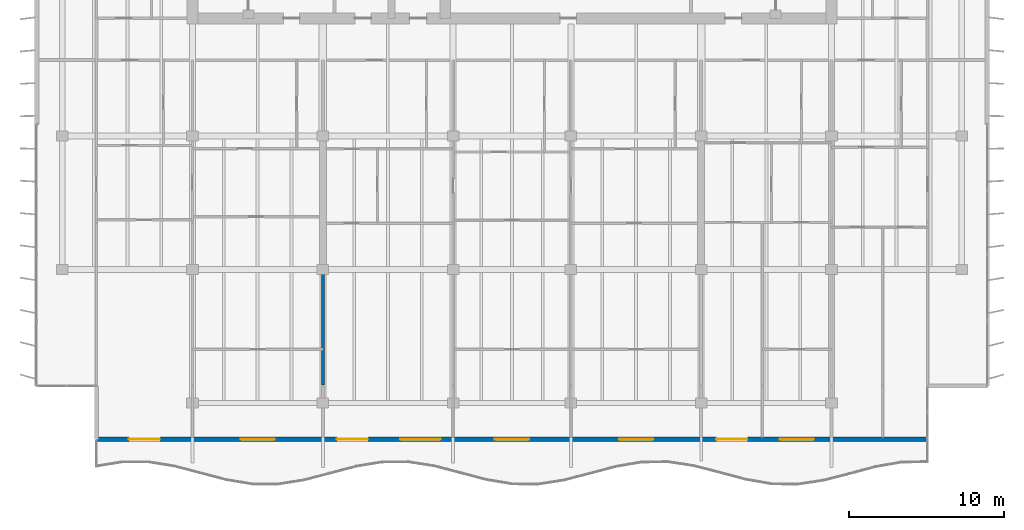
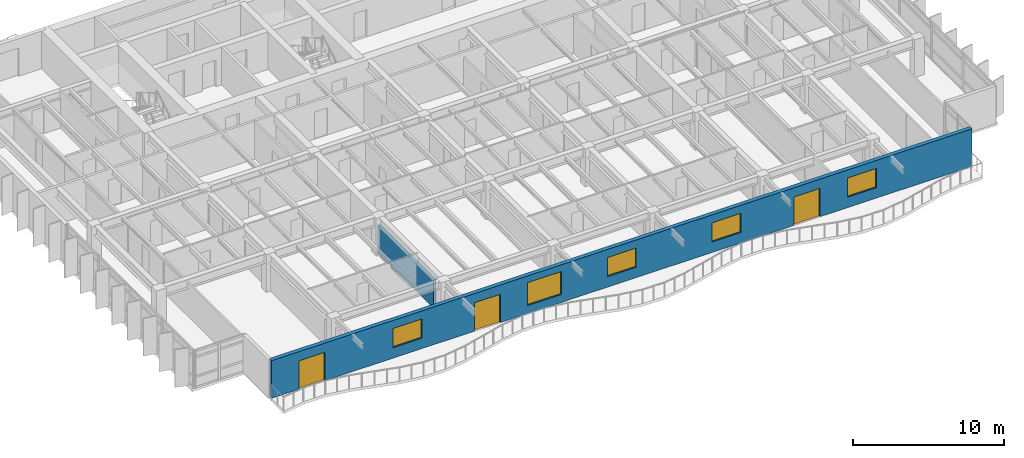
# One storey, part 7 of 17: 5 windows, 3 doors, 2 walls, 8 openings.
"""IFC4 building model written with IfcOpenShell, lengths in metres."""

from ifc_helpers import new_model, si_unit, direction, frame, frame_2d, origin, place, context, subcontext, project, spatial, rectangle, extrude, material, layer, layer_set, type_object, element, fill, save


model = new_model("IFC4")

# Units and contexts
model_context = context("Model", 3, precision=1e-05, world=origin(), true_north=direction((0.0, 1.0)))
body_context = subcontext(model_context, "Body", "Model", "MODEL_VIEW")
ifc_project = project(units=[si_unit("LENGTHUNIT", "METRE"), si_unit("AREAUNIT", "SQUARE_METRE"), si_unit("VOLUMEUNIT", "CUBIC_METRE"), si_unit("PLANEANGLEUNIT", "RADIAN"), si_unit("MASSUNIT", "GRAM", prefix="KILO")], contexts=[model_context])

# Site, building, storey
site_placement = place(None, origin())
site = spatial("IfcSite", under=ifc_project, at=site_placement, CompositionType="ELEMENT")
building_placement = place(site_placement, origin())
building = spatial("IfcBuilding", under=site, at=building_placement, Name="Caelmar Bay Residences", CompositionType="ELEMENT")
storey_placement = place(building_placement, frame((0.0, 0.0, 259.5)))
storey = spatial("IfcBuildingStorey", under=building, at=storey_placement, Name="L73", CompositionType="ELEMENT", Elevation=259.5)

# Wall, openings, doors, windows
ifc_material_1 = material(Name="Precast concrete f'c 40 MPa (6,000 psi)", Category="concrete")
ifc_layer_1 = layer(ifc_material_1, 0.300048828125)
ifc_layer_set_1 = layer_set([ifc_layer_1], Name="Precast concrete f'c 40 MPa (6,000 psi)")
wall_type_1 = type_object("IfcWallType", Name="W-EXT-300", PredefinedType="STANDARD", material=ifc_layer_set_1)
wall_1_placement = place(storey_placement, frame((65.699951171875, 9.85009765625, 0.0), z_axis=(0.0, 0.0, 1.0), x_axis=(-1.0, 0.0, 0.0)))
wall_1 = element("IfcWall", 1, at=wall_1_placement, inside=storey, type_object=wall_type_1, Name="L73 South Bayfront Exterior Wall", PredefinedType="STANDARD", context=body_context, shape_type="SweptSolid", body=[
    extrude(rectangle(XDim=53.599853515625, YDim=0.300048828125, at=frame_2d((26.7998046875, 0.0))), origin(), (0.0, 0.0, 1.0), 3.050048828125),
])
opening_1_placement = place(wall_1_placement, frame((49.5, 0.0, 0.0)))
opening_1 = element("IfcOpeningElement", 2, at=opening_1_placement, cuts=wall_1, Name="Opening L73-BD01", PredefinedType="OPENING", context=body_context, shape_type="SweptSolid", body=[
    extrude(rectangle(XDim=2.0, YDim=2.300048828125, at=frame_2d((1.0, 1.14990234375))), frame((0.0, 0.159912109375, 0.0), z_axis=(0.0, -1.0, 0.0), x_axis=(1.0, 0.0, 0.0)), (0.0, 0.0, 1.0), 0.320068359375),
])
opening_2_placement = place(wall_1_placement, frame((42.10009765625, 0.0, 0.85009765625)))
opening_2 = element("IfcOpeningElement", 3, at=opening_2_placement, cuts=wall_1, Name="Opening WN2", PredefinedType="OPENING", context=body_context, shape_type="SweptSolid", body=[
    extrude(rectangle(XDim=2.199951171875, YDim=1.550048828125, at=frame_2d((1.10009765625, 0.77490234375))), frame((0.0, 0.159912109375, 0.0), z_axis=(0.0, -1.0, 0.0), x_axis=(1.0, 0.0, 0.0)), (0.0, 0.0, 1.0), 0.320068359375),
])
opening_3_placement = place(wall_1_placement, frame((36.090087890625, 0.0, 0.0)))
opening_3 = element("IfcOpeningElement", 4, at=opening_3_placement, cuts=wall_1, Name="Opening L73-BD02", PredefinedType="OPENING", context=body_context, shape_type="SweptSolid", body=[
    extrude(rectangle(XDim=2.0, YDim=2.300048828125, at=frame_2d((1.0, 1.14990234375))), frame((0.0, 0.159912109375, 0.0), z_axis=(0.0, -1.0, 0.0), x_axis=(1.0, 0.0, 0.0)), (0.0, 0.0, 1.0), 0.320068359375),
])
opening_4_placement = place(wall_1_placement, frame((31.409912109375, 0.0, 0.64990234375)))
opening_4 = element("IfcOpeningElement", 5, at=opening_4_placement, cuts=wall_1, Name="Opening WN3", PredefinedType="OPENING", context=body_context, shape_type="SweptSolid", body=[
    extrude(rectangle(XDim=2.60009765625, YDim=1.85009765625, at=frame_2d((1.300048828125, 0.925048828125))), frame((0.0, 0.159912109375, 0.0), z_axis=(0.0, -1.0, 0.0), x_axis=(1.0, 0.0, 0.0)), (0.0, 0.0, 1.0), 0.320068359375),
])
opening_5_placement = place(wall_1_placement, frame((25.699951171875, 0.0, 0.85009765625)))
opening_5 = element("IfcOpeningElement", 6, at=opening_5_placement, cuts=wall_1, Name="Opening WN2", PredefinedType="OPENING", context=body_context, shape_type="SweptSolid", body=[
    extrude(rectangle(XDim=2.199951171875, YDim=1.550048828125, at=frame_2d((1.10009765625, 0.77490234375))), frame((0.0, 0.159912109375, 0.0), z_axis=(0.0, -1.0, 0.0), x_axis=(1.0, 0.0, 0.0)), (0.0, 0.0, 1.0), 0.320068359375),
])
opening_6_placement = place(wall_1_placement, frame((17.699951171875, 0.0, 0.85009765625)))
opening_6 = element("IfcOpeningElement", 7, at=opening_6_placement, cuts=wall_1, Name="Opening WN2", PredefinedType="OPENING", context=body_context, shape_type="SweptSolid", body=[
    extrude(rectangle(XDim=2.199951171875, YDim=1.550048828125, at=frame_2d((1.10009765625, 0.77490234375))), frame((0.0, 0.159912109375, 0.0), z_axis=(0.0, -1.0, 0.0), x_axis=(1.0, 0.0, 0.0)), (0.0, 0.0, 1.0), 0.320068359375),
])
opening_7_placement = place(wall_1_placement, frame((11.6259765625, 0.0, 0.0)))
opening_7 = element("IfcOpeningElement", 8, at=opening_7_placement, cuts=wall_1, Name="Opening L73-BD03", PredefinedType="OPENING", context=body_context, shape_type="SweptSolid", body=[
    extrude(rectangle(XDim=2.0, YDim=2.300048828125, at=frame_2d((1.0, 1.14990234375))), frame((0.0, 0.159912109375, 0.0), z_axis=(0.0, -1.0, 0.0), x_axis=(1.0, 0.0, 0.0)), (0.0, 0.0, 1.0), 0.320068359375),
])
opening_8_placement = place(wall_1_placement, frame((7.325927734375, 0.0, 0.85009765625)))
opening_8 = element("IfcOpeningElement", 9, at=opening_8_placement, cuts=wall_1, Name="Opening WN2", PredefinedType="OPENING", context=body_context, shape_type="SweptSolid", body=[
    extrude(rectangle(XDim=2.199951171875, YDim=1.550048828125, at=frame_2d((1.10009765625, 0.77490234375))), frame((0.0, 0.159912109375, 0.0), z_axis=(0.0, -1.0, 0.0), x_axis=(1.0, 0.0, 0.0)), (0.0, 0.0, 1.0), 0.320068359375),
])
ifc_material_2 = material(Name="Anodised bronze thermally broken sliding glass door", Category="glass")
ifc_layer_2 = layer(ifc_material_2, 0.050048828125)
ifc_layer_set_2 = layer_set([ifc_layer_2], Name="Anodised bronze thermally broken sliding glass door")
door_type = type_object("IfcDoorType", Name="D-BAL-2000", OperationType="DOUBLE_DOOR_SLIDING", PredefinedType="DOOR", material=ifc_layer_set_2)
door_1_placement = place(opening_1_placement, origin())
door_1 = element("IfcDoor", 10, at=door_1_placement, inside=storey, type_object=door_type, Name="L73 Residence 01 Penthouse Living Salon Balcony Door", OperationType="DOUBLE_DOOR_SLIDING", OverallHeight=2.300048828125, OverallWidth=2.0, PredefinedType="DOOR", context=body_context, shape_type="SweptSolid", body=[
    extrude(rectangle(XDim=2.0, YDim=2.300048828125, at=frame_2d((1.0, 1.14990234375))), frame((0.0, 0.02490234375, 0.0), z_axis=(0.0, -1.0, 0.0), x_axis=(1.0, 0.0, 0.0)), (0.0, 0.0, 1.0), 0.050048828125),
])
fill(opening_1, door_1)
door_2_placement = place(opening_3_placement, origin())
door_2 = element("IfcDoor", 11, at=door_2_placement, inside=storey, type_object=door_type, Name="L73 Residence 02 Penthouse Living Salon Balcony Door", OperationType="DOUBLE_DOOR_SLIDING", OverallHeight=2.300048828125, OverallWidth=2.0, PredefinedType="DOOR", context=body_context, shape_type="SweptSolid", body=[
    extrude(rectangle(XDim=2.0, YDim=2.300048828125, at=frame_2d((1.0, 1.14990234375))), frame((0.0, 0.02490234375, 0.0), z_axis=(0.0, -1.0, 0.0), x_axis=(1.0, 0.0, 0.0)), (0.0, 0.0, 1.0), 0.050048828125),
])
fill(opening_3, door_2)
door_3_placement = place(opening_7_placement, origin())
door_3 = element("IfcDoor", 12, at=door_3_placement, inside=storey, type_object=door_type, Name="L73 Residence 03 Living Room Balcony Door", OperationType="DOUBLE_DOOR_SLIDING", OverallHeight=2.300048828125, OverallWidth=2.0, PredefinedType="DOOR", context=body_context, shape_type="SweptSolid", body=[
    extrude(rectangle(XDim=2.0, YDim=2.300048828125, at=frame_2d((1.0, 1.14990234375))), frame((0.0, 0.02490234375, 0.0), z_axis=(0.0, -1.0, 0.0), x_axis=(1.0, 0.0, 0.0)), (0.0, 0.0, 1.0), 0.050048828125),
])
fill(opening_7, door_3)
ifc_material_3 = material(Name="Bronze aluminium frame with laminated low-E glass", Category="aluminium")
ifc_layer_3 = layer(ifc_material_3, 0.06005859375)
ifc_layer_set_3 = layer_set([ifc_layer_3], Name="Bronze aluminium frame with laminated low-E glass")
window_type_1 = type_object("IfcWindowType", Name="WIN-BR-2200", PartitioningType="SINGLE_PANEL", PredefinedType="WINDOW", material=ifc_layer_set_3)
window_1_placement = place(opening_2_placement, origin())
window_1 = element("IfcWindow", 13, at=window_1_placement, inside=storey, type_object=window_type_1, Name="L73 Residence 01 Primary Bedroom 1 Window", OverallHeight=1.550048828125, OverallWidth=2.199951171875, PartitioningType="SINGLE_PANEL", PredefinedType="WINDOW", context=body_context, shape_type="SweptSolid", body=[
    extrude(rectangle(XDim=2.199951171875, YDim=1.550048828125, at=frame_2d((1.10009765625, 0.77490234375))), frame((0.0, 0.030029296875, 0.0), z_axis=(0.0, -1.0, 0.0), x_axis=(1.0, 0.0, 0.0)), (0.0, 0.0, 1.0), 0.06005859375),
])
fill(opening_2, window_1)
window_2_placement = place(opening_5_placement, origin())
window_2 = element("IfcWindow", 14, at=window_2_placement, inside=storey, type_object=window_type_1, Name="L73 Residence 02 Primary Bedroom 1 Window", OverallHeight=1.550048828125, OverallWidth=2.199951171875, PartitioningType="SINGLE_PANEL", PredefinedType="WINDOW", context=body_context, shape_type="SweptSolid", body=[
    extrude(rectangle(XDim=2.199951171875, YDim=1.550048828125, at=frame_2d((1.10009765625, 0.77490234375))), frame((0.0, 0.030029296875, 0.0), z_axis=(0.0, -1.0, 0.0), x_axis=(1.0, 0.0, 0.0)), (0.0, 0.0, 1.0), 0.06005859375),
])
fill(opening_5, window_2)
window_3_placement = place(opening_6_placement, origin())
window_3 = element("IfcWindow", 15, at=window_3_placement, inside=storey, type_object=window_type_1, Name="L73 Residence 02 Primary Bedroom 2 Window", OverallHeight=1.550048828125, OverallWidth=2.199951171875, PartitioningType="SINGLE_PANEL", PredefinedType="WINDOW", context=body_context, shape_type="SweptSolid", body=[
    extrude(rectangle(XDim=2.199951171875, YDim=1.550048828125, at=frame_2d((1.10009765625, 0.77490234375))), frame((0.0, 0.030029296875, 0.0), z_axis=(0.0, -1.0, 0.0), x_axis=(1.0, 0.0, 0.0)), (0.0, 0.0, 1.0), 0.06005859375),
])
fill(opening_6, window_3)
window_4_placement = place(opening_8_placement, origin())
window_4 = element("IfcWindow", 16, at=window_4_placement, inside=storey, type_object=window_type_1, Name="L73 Residence 03 Primary Bedroom Window", OverallHeight=1.550048828125, OverallWidth=2.199951171875, PartitioningType="SINGLE_PANEL", PredefinedType="WINDOW", context=body_context, shape_type="SweptSolid", body=[
    extrude(rectangle(XDim=2.199951171875, YDim=1.550048828125, at=frame_2d((1.10009765625, 0.77490234375))), frame((0.0, 0.030029296875, 0.0), z_axis=(0.0, -1.0, 0.0), x_axis=(1.0, 0.0, 0.0)), (0.0, 0.0, 1.0), 0.06005859375),
])
fill(opening_8, window_4)
ifc_layer_4 = layer(ifc_material_3, 0.06005859375)
ifc_layer_set_4 = layer_set([ifc_layer_4], Name="Bronze aluminium frame with laminated low-E glass")
window_type_2 = type_object("IfcWindowType", Name="WIN-LIV-2600", PartitioningType="SINGLE_PANEL", PredefinedType="WINDOW", material=ifc_layer_set_4)
window_5_placement = place(opening_4_placement, origin())
window_5 = element("IfcWindow", 17, at=window_5_placement, inside=storey, type_object=window_type_2, Name="L73 Residence 02 Penthouse Living Salon Panoramic Window", OverallHeight=1.85009765625, OverallWidth=2.60009765625, PartitioningType="SINGLE_PANEL", PredefinedType="WINDOW", context=body_context, shape_type="SweptSolid", body=[
    extrude(rectangle(XDim=2.60009765625, YDim=1.85009765625, at=frame_2d((1.300048828125, 0.925048828125))), frame((0.0, 0.030029296875, 0.0), z_axis=(0.0, -1.0, 0.0), x_axis=(1.0, 0.0, 0.0)), (0.0, 0.0, 1.0), 0.06005859375),
])
fill(opening_4, window_5)

# Wall
ifc_material_4 = material(Name="Acoustic twin-stud fire-rated inter-tenancy partition 200 mm")
ifc_layer_5 = layer(ifc_material_4, 0.199951171875)
ifc_layer_set_5 = layer_set([ifc_layer_5], Name="Acoustic twin-stud fire-rated inter-tenancy partition 200 mm")
wall_type_2 = type_object("IfcWallType", Name="W-PTY-200", PredefinedType="PARTITIONING", material=ifc_layer_set_5)
wall_2_placement = place(storey_placement, frame((26.699951171875, 13.340087890625, 0.0), z_axis=(0.0, 0.0, 1.0), x_axis=(0.0, 1.0, 0.0)))
element("IfcWall", 18, at=wall_2_placement, inside=storey, type_object=wall_type_2, Name="L73 Partition Wall V018", PredefinedType="PARTITIONING", context=body_context, shape_type="SweptSolid", body=[
    extrude(rectangle(XDim=7.454833984375, YDim=0.199951171875, at=frame_2d((3.7275390625, 0.0))), origin(), (0.0, 0.0, 1.0), 2.262939453125),
])

save(model, "model.ifc")
